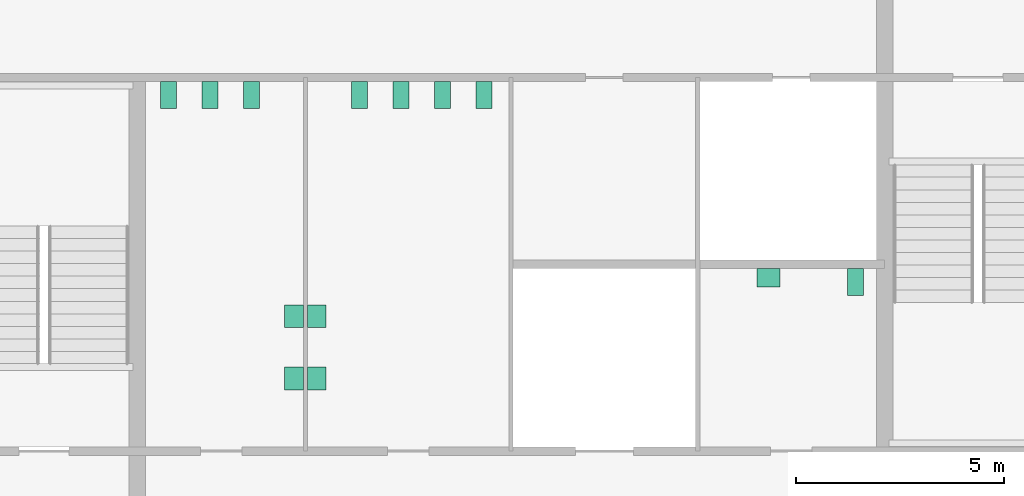
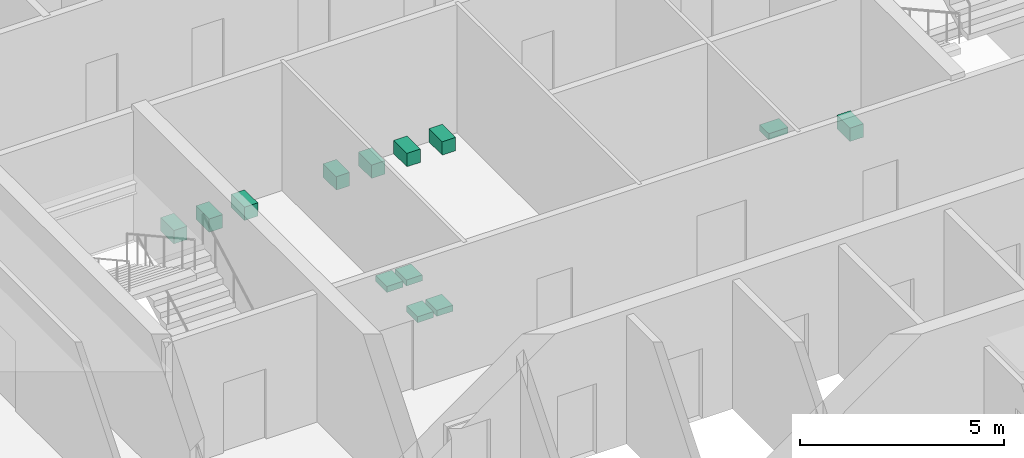
# One storey, part 14 of 14: 13 sanitary terminals.
"""IFC4 building model written with IfcOpenShell, lengths in metres."""

from ifc_helpers import new_model, si_unit, direction, frame, origin, origin_2d, place, context, subcontext, project, spatial, rectangle, extrude, material, type_object, element, save


model = new_model("IFC4")

# Units and contexts
model_context = context("Model", 3, precision=1e-05, world=origin(), true_north=direction((0.0, 1.0)))
body_context = subcontext(model_context, "Body", "Model", "MODEL_VIEW")
ifc_project = project(units=[si_unit("LENGTHUNIT", "METRE"), si_unit("AREAUNIT", "SQUARE_METRE"), si_unit("VOLUMEUNIT", "CUBIC_METRE"), si_unit("PLANEANGLEUNIT", "RADIAN"), si_unit("MASSUNIT", "GRAM", prefix="KILO")], contexts=[model_context])

# Site, building, storey
site_placement = place(None, origin())
site = spatial("IfcSite", under=ifc_project, at=site_placement, CompositionType="ELEMENT")
building_placement = place(site_placement, origin())
building = spatial("IfcBuilding", under=site, at=building_placement, Name="Corais Broadcast Tower", CompositionType="ELEMENT")
storey_placement = place(building_placement, frame((0.0, 0.0, 290.60009765625)))
storey = spatial("IfcBuildingStorey", under=building, at=storey_placement, Name="L68", CompositionType="ELEMENT", Elevation=290.60009765625)

# Sanitary terminals
ifc_material_1 = material(Name="Vitreous china", Category="ceramic")
sanitary_terminal_type_1 = type_object("IfcSanitaryTerminalType", Name="WC pan 380x650", PredefinedType="TOILETPAN", material=ifc_material_1)
for number, where, z_axis, x_axis, name in (
    (1, (18.75, 31.074951171875, 0.0), (0.0, 0.0, 1.0), (1.0, 0.0, 0.0), "SW1 WC pan, male toilets L68"),
    (2, (19.75, 31.074951171875, 0.0), (0.0, 0.0, 1.0), (1.0, 0.0, 0.0), "SW1 WC pan, male toilets L68"),
    (3, (20.75, 31.074951171875, 0.0), (0.0, 0.0, 1.0), (1.0, 0.0, 0.0), "SW1 WC pan, male toilets L68"),
    (4, (23.35009765625, 31.074951171875, 0.0), (0.0, 0.0, 1.0), (1.0, 0.0, 0.0), "SW1 WC pan, female toilets L68"),
    (5, (24.35009765625, 31.074951171875, 0.0), (0.0, 0.0, 1.0), (1.0, 0.0, 0.0), "SW1 WC pan, female toilets L68"),
    (6, (25.35009765625, 31.074951171875, 0.0), (0.0, 0.0, 1.0), (1.0, 0.0, 0.0), "SW1 WC pan, female toilets L68"),
    (7, (26.35009765625, 31.074951171875, 0.0), (0.0, 0.0, 1.0), (1.0, 0.0, 0.0), "SW1 WC pan, female toilets L68"),
    (8, (35.300048828125, 26.574951171875, 0.0), (0.0, 0.0, 1.0), (1.0, 0.0, 0.0), "SW1 WC pan, accessible WC L68"),
):
    element("IfcSanitaryTerminal", number, at=place(storey_placement, frame(where, z_axis=z_axis, x_axis=x_axis)), inside=storey, type_object=sanitary_terminal_type_1, Name=name, PredefinedType="TOILETPAN", context=body_context, shape_type="SweptSolid", body=[
        extrude(rectangle(XDim=0.3798828125, YDim=0.64990234375, at=origin_2d()), origin(), (0.0, 0.0, 1.0), 0.39990234375),
    ])
ifc_material_2 = material(Name="Vitreous china", Category="ceramic")
sanitary_terminal_type_2 = type_object("IfcSanitaryTerminalType", Name="Wash basin 550x450", PredefinedType="WASHHANDBASIN", material=ifc_material_2)
for number, where, z_axis, x_axis, name in (
    (9, (21.77490234375, 24.25, 0.69970703125), (0.0, 0.0, 1.0), (1.0, 0.0, 0.0), "WB1 wash basin, male toilets L68"),
    (10, (21.77490234375, 25.75, 0.69970703125), (0.0, 0.0, 1.0), (1.0, 0.0, 0.0), "WB1 wash basin, male toilets L68"),
    (11, (22.324951171875, 24.25, 0.69970703125), (0.0, 0.0, 1.0), (1.0, 0.0, 0.0), "WB1 wash basin, female toilets L68"),
    (12, (22.324951171875, 25.75, 0.69970703125), (0.0, 0.0, 1.0), (1.0, 0.0, 0.0), "WB1 wash basin, female toilets L68"),
):
    element("IfcSanitaryTerminal", number, at=place(storey_placement, frame(where, z_axis=z_axis, x_axis=x_axis)), inside=storey, type_object=sanitary_terminal_type_2, Name=name, PredefinedType="WASHHANDBASIN", context=body_context, shape_type="SweptSolid", body=[
        extrude(rectangle(XDim=0.449951171875, YDim=0.550048828125, at=origin_2d()), origin(), (0.0, 0.0, 1.0), 0.179931640625),
    ])
sanitary_terminal_placement = place(storey_placement, frame((33.199951171875, 26.675048828125, 0.69970703125), z_axis=(0.0, 0.0, 1.0), x_axis=(1.0, 0.0, 0.0)))
element("IfcSanitaryTerminal", 13, at=sanitary_terminal_placement, inside=storey, type_object=sanitary_terminal_type_2, Name="WB1 wash basin, accessible WC L68", PredefinedType="WASHHANDBASIN", context=body_context, shape_type="SweptSolid", body=[
    extrude(rectangle(XDim=0.550048828125, YDim=0.449951171875, at=origin_2d()), origin(), (0.0, 0.0, 1.0), 0.179931640625),
])

save(model, "model.ifc")
